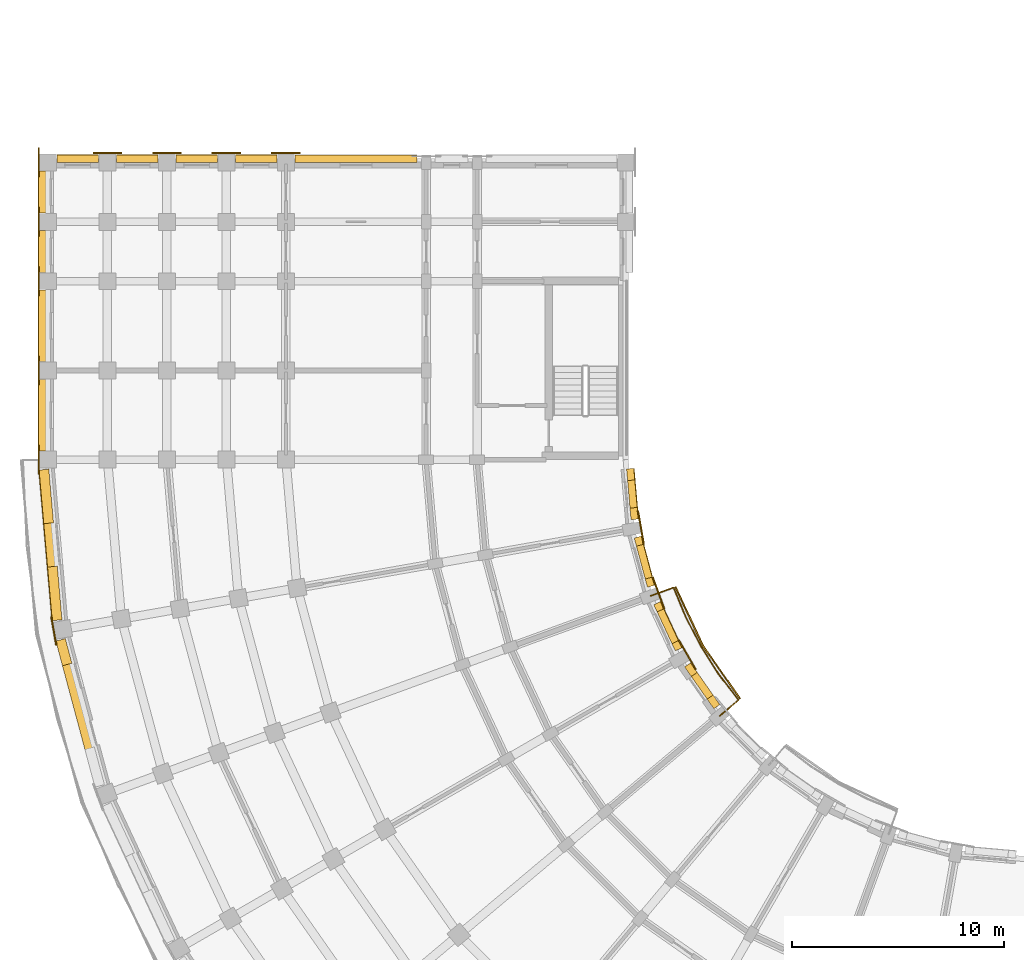
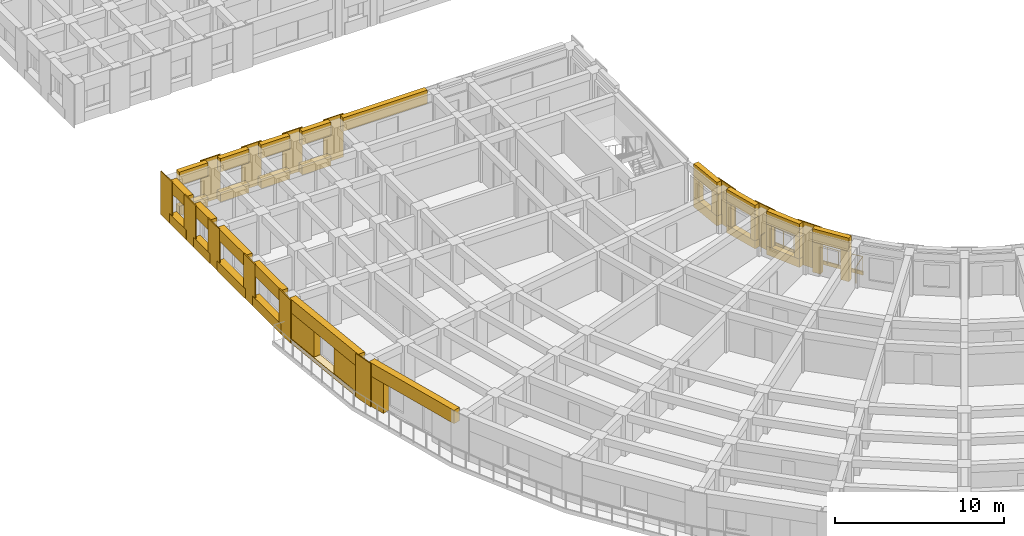
# One storey, part 41 of 54: 52 coverings, 1 railing.
"""IFC4 building model written with IfcOpenShell, lengths in metres."""

from ifc_helpers import new_model, si_unit, direction, frame, origin, origin_2d, place, context, subcontext, project, spatial, polyline, circle, outline, extrude, material, layer, layer_set, type_object, element, save


model = new_model("IFC4")

# Units and contexts
model_context = context("Model", 3, precision=1e-05, world=origin(), true_north=direction((0.0, 1.0)))
body_context = subcontext(model_context, "Body", "Model", "MODEL_VIEW")
ifc_project = project(units=[si_unit("LENGTHUNIT", "METRE"), si_unit("AREAUNIT", "SQUARE_METRE"), si_unit("VOLUMEUNIT", "CUBIC_METRE"), si_unit("PLANEANGLEUNIT", "RADIAN"), si_unit("MASSUNIT", "GRAM", prefix="KILO")], contexts=[model_context])

# Site, building, storey
site_placement = place(None, origin())
site = spatial("IfcSite", under=ifc_project, at=site_placement, CompositionType="ELEMENT")
building_placement = place(site_placement, origin())
building = spatial("IfcBuilding", under=site, at=building_placement, Name="Kiranvali Square Residences", CompositionType="ELEMENT")
storey_placement = place(building_placement, frame((0.0, 0.0, 11.85009765625)))
storey = spatial("IfcBuildingStorey", under=building, at=storey_placement, Name="L03", CompositionType="ELEMENT", Elevation=11.85009765625)

# Coverings
ifc_material_1 = material(Name="Carved Porbandar limestone classical entablature and cornice", Category="masonry")
ifc_layer_1 = layer(ifc_material_1, 0.06201171875)
ifc_layer_set_1 = layer_set([ifc_layer_1], Name="Carved Porbandar limestone classical entablature and cornice")
covering_type_1 = type_object("IfcCoveringType", Name="COV-CLAD-GBAL", PredefinedType="CLADDING", material=ifc_layer_set_1)
covering_1_placement = place(storey_placement, frame((0.0, 0.0, -0.22021484375)))
element("IfcCovering", 1, at=covering_1_placement, inside=storey, type_object=covering_type_1, Name="Block C L03 garden balcony limestone fascia 2", PredefinedType="CLADDING", context=body_context, shape_type="SweptSolid", body=[
    extrude(outline(polyline([(34.8095703125, 36.964111328125), (33.061767578125, 39.4599609375), (31.774169921875, 42.221435546875), (31.710205078125, 42.1982421875), (33.0029296875, 39.426025390625), (34.757568359375, 36.92041015625), (34.8095703125, 36.964111328125)])), origin(), (0.0, 0.0, 1.0), 0.27001953125),
])
ifc_material_2 = material(Name="Honed Porbandar limestone ashlar facade cladding", Category="masonry")
ifc_layer_2 = layer(ifc_material_2, 0.3798828125)
ifc_layer_set_2 = layer_set([ifc_layer_2], Name="Honed Porbandar limestone ashlar facade cladding")
covering_type_2 = type_object("IfcCoveringType", Name="COV-CLAD-JAMB", PredefinedType="CLADDING", material=ifc_layer_set_2)
covering_2_placement = place(storey_placement, origin())
element("IfcCovering", 2, at=covering_2_placement, inside=storey, type_object=covering_type_2, Name="L03 deep limestone window jamb reveal C-L03-CRV-07.R", PredefinedType="CLADDING", context=body_context, shape_type="SweptSolid", body=[
    extrude(outline(polyline([(3.32568359375, 38.617431640625), (3.014892578125, 39.77734375), (2.571044921875, 39.658447265625), (2.8818359375, 38.49853515625), (3.32568359375, 38.617431640625)])), origin(), (0.0, 0.0, 1.0), 2.179931640625),
])
covering_3_placement = place(storey_placement, frame((0.0, 0.0, 0.322021484375)))
element("IfcCovering", 3, at=covering_3_placement, inside=storey, type_object=covering_type_2, Name="L03 deep limestone window jamb reveal C-L03-CRV-08.L", PredefinedType="CLADDING", context=body_context, shape_type="SweptSolid", body=[
    extrude(outline(polyline([(2.859130859375, 40.660400390625), (2.63818359375, 43.18505859375), (2.180419921875, 43.14501953125), (2.4013671875, 40.620361328125), (2.859130859375, 40.660400390625)])), origin(), (0.0, 0.0, 1.0), 1.849853515625),
])
covering_4_placement = place(storey_placement, frame((0.0, 0.0, 0.322021484375)))
element("IfcCovering", 4, at=covering_4_placement, inside=storey, type_object=covering_type_2, Name="L03 deep limestone window jamb reveal C-L03-CRV-08.R", PredefinedType="CLADDING", context=body_context, shape_type="SweptSolid", body=[
    extrude(outline(polyline([(2.45947265625, 45.22705078125), (2.23876953125, 47.751708984375), (1.781005859375, 47.711669921875), (2.001953125, 45.18701171875), (2.45947265625, 45.22705078125)])), origin(), (0.0, 0.0, 1.0), 1.849853515625),
])
covering_5_placement = place(storey_placement, origin())
element("IfcCovering", 5, at=covering_5_placement, inside=storey, type_object=covering_type_2, Name="L03 deep limestone window jamb reveal C-L03-GDN-05.L", PredefinedType="CLADDING", context=body_context, shape_type="SweptSolid", body=[
    extrude(outline(polyline([(33.824462890625, 36.671142578125), (33.509765625, 37.120361328125), (33.231689453125, 36.925537109375), (33.54638671875, 36.476318359375), (33.824462890625, 36.671142578125)])), origin(), (0.0, 0.0, 1.0), 2.179931640625),
])
covering_6_placement = place(storey_placement, origin())
element("IfcCovering", 6, at=covering_6_placement, inside=storey, type_object=covering_type_2, Name="L03 deep limestone window jamb reveal C-L03-GDN-05.R", PredefinedType="CLADDING", context=body_context, shape_type="SweptSolid", body=[
    extrude(outline(polyline([(32.76416015625, 38.185302734375), (32.44970703125, 38.634521484375), (32.171630859375, 38.43994140625), (32.486083984375, 37.990478515625), (32.76416015625, 38.185302734375)])), origin(), (0.0, 0.0, 1.0), 2.179931640625),
])
covering_7_placement = place(storey_placement, frame((0.0, 0.0, 0.621826171875)))
element("IfcCovering", 7, at=covering_7_placement, inside=storey, type_object=covering_type_2, Name="L03 deep limestone window jamb reveal C-L03-GDN-06.L", PredefinedType="CLADDING", context=body_context, shape_type="SweptSolid", body=[
    extrude(outline(polyline([(32.041015625, 39.342529296875), (31.883056640625, 39.680908203125), (31.575439453125, 39.53759765625), (31.733154296875, 39.198974609375), (32.041015625, 39.342529296875)])), origin(), (0.0, 0.0, 1.0), 1.60009765625),
])
covering_8_placement = place(storey_placement, frame((0.0, 0.0, 0.621826171875)))
element("IfcCovering", 8, at=covering_8_placement, inside=storey, type_object=covering_type_2, Name="L03 deep limestone window jamb reveal C-L03-GDN-06.R", PredefinedType="CLADDING", context=body_context, shape_type="SweptSolid", body=[
    extrude(outline(polyline([(31.185791015625, 41.176513671875), (31.02783203125, 41.514892578125), (30.72021484375, 41.37158203125), (30.8779296875, 41.032958984375), (31.185791015625, 41.176513671875)])), origin(), (0.0, 0.0, 1.0), 1.60009765625),
])
covering_9_placement = place(storey_placement, frame((0.0, 0.0, 0.572021484375)))
element("IfcCovering", 9, at=covering_9_placement, inside=storey, type_object=covering_type_2, Name="L03 deep limestone window jamb reveal C-L03-GDN-07.L", PredefinedType="CLADDING", context=body_context, shape_type="SweptSolid", body=[
    extrude(outline(polyline([(30.748291015625, 42.282958984375), (30.645263671875, 42.66796875), (30.317138671875, 42.580078125), (30.42041015625, 42.195068359375), (30.748291015625, 42.282958984375)])), origin(), (0.0, 0.0, 1.0), 1.64990234375),
])
covering_10_placement = place(storey_placement, frame((0.0, 0.0, 0.572021484375)))
element("IfcCovering", 10, at=covering_10_placement, inside=storey, type_object=covering_type_2, Name="L03 deep limestone window jamb reveal C-L03-GDN-07.R", PredefinedType="CLADDING", context=body_context, shape_type="SweptSolid", body=[
    extrude(outline(polyline([(30.23095703125, 44.21337890625), (30.1279296875, 44.598388671875), (29.800048828125, 44.510498046875), (29.903076171875, 44.12548828125), (30.23095703125, 44.21337890625)])), origin(), (0.0, 0.0, 1.0), 1.64990234375),
])
covering_11_placement = place(storey_placement, frame((0.0, 0.0, 0.721923828125)))
element("IfcCovering", 11, at=covering_11_placement, inside=storey, type_object=covering_type_2, Name="L03 deep limestone window jamb reveal C-L03-GDN-08.L", PredefinedType="CLADDING", context=body_context, shape_type="SweptSolid", body=[
    extrude(outline(polyline([(29.986083984375, 45.4033203125), (29.938232421875, 45.94970703125), (29.599853515625, 45.920166015625), (29.647705078125, 45.373779296875), (29.986083984375, 45.4033203125)])), origin(), (0.0, 0.0, 1.0), 1.5),
])
covering_12_placement = place(storey_placement, frame((0.0, 0.0, 0.721923828125)))
element("IfcCovering", 12, at=covering_12_placement, inside=storey, type_object=covering_type_2, Name="L03 deep limestone window jamb reveal C-L03-GDN-08.R", PredefinedType="CLADDING", context=body_context, shape_type="SweptSolid", body=[
    extrude(outline(polyline([(29.824951171875, 47.244873046875), (29.777099609375, 47.791259765625), (29.43896484375, 47.76171875), (29.486572265625, 47.21533203125), (29.824951171875, 47.244873046875)])), origin(), (0.0, 0.0, 1.0), 1.5),
])
ifc_layer_3 = layer(ifc_material_2, 0.06494140625)
ifc_layer_set_3 = layer_set([ifc_layer_3], Name="Honed Porbandar limestone ashlar facade cladding")
covering_type_3 = type_object("IfcCoveringType", Name="COV-CLAD-PIER", PredefinedType="CLADDING", material=ifc_layer_set_3)
covering_13_placement = place(storey_placement, frame((0.0, 0.0, 0.0048828125)))
element("IfcCovering", 13, at=covering_13_placement, inside=storey, type_object=covering_type_3, Name="L03 Classical limestone corner pilaster CLAD-PR-C-L03-A08", PredefinedType="CLADDING", context=body_context, shape_type="SweptSolid", body=[
    extrude(outline(polyline([(2.31982421875, 40.800537109375), (2.555908203125, 39.461181640625), (2.62255859375, 39.472900390625), (2.38623046875, 40.812255859375), (2.31982421875, 40.800537109375)])), origin(), (0.0, 0.0, 1.0), 3.14013671875),
])
covering_14_placement = place(storey_placement, frame((0.0, 0.0, 0.0048828125)))
element("IfcCovering", 14, at=covering_14_placement, inside=storey, type_object=covering_type_3, Name="L03 Classical limestone corner pilaster CLAD-PR-C-L03-A09", PredefinedType="CLADDING", context=body_context, shape_type="SweptSolid", body=[
    extrude(outline(polyline([(1.73193359375, 48.8798828125), (1.73193359375, 47.52001953125), (1.799560546875, 47.52001953125), (1.799560546875, 48.8798828125), (1.73193359375, 48.8798828125)])), origin(), (0.0, 0.0, 1.0), 3.14013671875),
])
covering_15_placement = place(storey_placement, frame((0.0, 0.0, 0.0048828125)))
element("IfcCovering", 15, at=covering_15_placement, inside=storey, type_object=covering_type_3, Name="L03 Classical limestone pilaster casing CLAD-PR-C-L03-V42", PredefinedType="CLADDING", context=body_context, shape_type="SweptSolid", body=[
    extrude(outline(polyline([(1.799560546875, 51.719970703125), (1.799560546875, 53.080078125), (1.73193359375, 53.080078125), (1.73193359375, 51.719970703125), (1.799560546875, 51.719970703125)])), origin(), (0.0, 0.0, 1.0), 3.14013671875),
])
covering_16_placement = place(storey_placement, frame((0.0, 0.0, 0.0048828125)))
element("IfcCovering", 16, at=covering_16_placement, inside=storey, type_object=covering_type_3, Name="L03 Classical limestone pilaster casing CLAD-PR-C-L03-V84", PredefinedType="CLADDING", context=body_context, shape_type="SweptSolid", body=[
    extrude(outline(polyline([(1.799560546875, 55.919921875), (1.799560546875, 57.280029296875), (1.73193359375, 57.280029296875), (1.73193359375, 55.919921875), (1.799560546875, 55.919921875)])), origin(), (0.0, 0.0, 1.0), 3.14013671875),
])
covering_17_placement = place(storey_placement, frame((0.0, 0.0, 0.0048828125)))
element("IfcCovering", 17, at=covering_17_placement, inside=storey, type_object=covering_type_3, Name="L03 Classical limestone pilaster casing CLAD-PR-C-L03-V112", PredefinedType="CLADDING", context=body_context, shape_type="SweptSolid", body=[
    extrude(outline(polyline([(1.799560546875, 58.719970703125), (1.799560546875, 60.080078125), (1.73193359375, 60.080078125), (1.73193359375, 58.719970703125), (1.799560546875, 58.719970703125)])), origin(), (0.0, 0.0, 1.0), 3.14013671875),
])
covering_18_placement = place(storey_placement, frame((0.0, 0.0, 0.0048828125)))
element("IfcCovering", 18, at=covering_18_placement, inside=storey, type_object=covering_type_3, Name="L03 Classical limestone pilaster casing CLAD-PR-C-L03-V140", PredefinedType="CLADDING", context=body_context, shape_type="SweptSolid", body=[
    extrude(outline(polyline([(1.799560546875, 61.52001953125), (1.799560546875, 62.8798828125), (1.73193359375, 62.8798828125), (1.73193359375, 61.52001953125), (1.799560546875, 61.52001953125)])), origin(), (0.0, 0.0, 1.0), 3.14013671875),
])
ifc_layer_4 = layer(ifc_material_2, 0.050048828125)
ifc_layer_set_4 = layer_set([ifc_layer_4], Name="Honed Porbandar limestone ashlar facade cladding")
covering_type_4 = type_object("IfcCoveringType", Name="COV-CLAD-PIER-IN", PredefinedType="CLADDING", material=ifc_layer_set_4)
covering_19_placement = place(storey_placement, frame((0.0, 0.0, 0.0048828125)))
element("IfcCovering", 19, at=covering_19_placement, inside=storey, type_object=covering_type_4, Name="L03 Classical garden courtyard pilaster CLAD-PRIN-C-L03-A06", PredefinedType="CLADDING", context=body_context, shape_type="SweptSolid", body=[
    extrude(outline(polyline([(32.72412109375, 38.341064453125), (31.924072265625, 39.726806640625), (31.865478515625, 39.693115234375), (32.66552734375, 38.307373046875), (32.72412109375, 38.341064453125)])), origin(), (0.0, 0.0, 1.0), 3.14013671875),
])
covering_20_placement = place(storey_placement, frame((0.0, 0.0, 0.0048828125)))
element("IfcCovering", 20, at=covering_20_placement, inside=storey, type_object=covering_type_4, Name="L03 Classical garden courtyard pilaster CLAD-PRIN-C-L03-A07", PredefinedType="CLADDING", context=body_context, shape_type="SweptSolid", body=[
    extrude(outline(polyline([(31.2470703125, 41.17822265625), (30.699951171875, 42.681884765625), (30.636474609375, 42.65869140625), (31.183837890625, 41.1552734375), (31.2470703125, 41.17822265625)])), origin(), (0.0, 0.0, 1.0), 3.14013671875),
])
covering_21_placement = place(storey_placement, frame((0.0, 0.0, 0.0048828125)))
element("IfcCovering", 21, at=covering_21_placement, inside=storey, type_object=covering_type_4, Name="L03 Classical garden courtyard pilaster CLAD-PRIN-C-L03-A08", PredefinedType="CLADDING", context=body_context, shape_type="SweptSolid", body=[
    extrude(outline(polyline([(30.285400390625, 44.228759765625), (30.007568359375, 45.804443359375), (29.941162109375, 45.792724609375), (30.218994140625, 44.217041015625), (30.285400390625, 44.228759765625)])), origin(), (0.0, 0.0, 1.0), 3.14013671875),
])
ifc_layer_5 = layer(ifc_material_2, 0.054931640625)
ifc_layer_set_5 = layer_set([ifc_layer_5], Name="Honed Porbandar limestone ashlar facade cladding")
covering_type_5 = type_object("IfcCoveringType", Name="COV-CLAD-PIER-UP", PredefinedType="CLADDING", material=ifc_layer_set_5)
covering_22_placement = place(storey_placement, frame((0.0, 0.0, 0.0048828125)))
element("IfcCovering", 22, at=covering_22_placement, inside=storey, type_object=covering_type_5, Name="L03 Classical limestone pilaster casing CLAD-PRA2E-C-L03-R348", PredefinedType="CLADDING", context=body_context, shape_type="SweptSolid", body=[
    extrude(outline(polyline([(14.080078125, 62.66796875), (12.719970703125, 62.66796875), (12.719970703125, 62.6005859375), (14.080078125, 62.6005859375), (14.080078125, 62.66796875)])), origin(), (0.0, 0.0, 1.0), 3.14013671875),
])
covering_23_placement = place(storey_placement, frame((0.0, 0.0, 0.0048828125)))
element("IfcCovering", 23, at=covering_23_placement, inside=storey, type_object=covering_type_5, Name="L03 Classical limestone pilaster casing CLAD-PRA2E-C-L03-R376", PredefinedType="CLADDING", context=body_context, shape_type="SweptSolid", body=[
    extrude(outline(polyline([(11.280029296875, 62.66796875), (9.919921875, 62.66796875), (9.919921875, 62.6005859375), (11.280029296875, 62.6005859375), (11.280029296875, 62.66796875)])), origin(), (0.0, 0.0, 1.0), 3.14013671875),
])
covering_24_placement = place(storey_placement, frame((0.0, 0.0, 0.0048828125)))
element("IfcCovering", 24, at=covering_24_placement, inside=storey, type_object=covering_type_5, Name="L03 Classical limestone pilaster casing CLAD-PRA2E-C-L03-R404", PredefinedType="CLADDING", context=body_context, shape_type="SweptSolid", body=[
    extrude(outline(polyline([(8.47998046875, 62.66796875), (7.1201171875, 62.66796875), (7.1201171875, 62.6005859375), (8.47998046875, 62.6005859375), (8.47998046875, 62.66796875)])), origin(), (0.0, 0.0, 1.0), 3.14013671875),
])
covering_25_placement = place(storey_placement, frame((0.0, 0.0, 0.0048828125)))
element("IfcCovering", 25, at=covering_25_placement, inside=storey, type_object=covering_type_5, Name="L03 Classical limestone pilaster casing CLAD-PRA2E-C-L03-R432", PredefinedType="CLADDING", context=body_context, shape_type="SweptSolid", body=[
    extrude(outline(polyline([(5.679931640625, 62.66796875), (4.320068359375, 62.66796875), (4.320068359375, 62.6005859375), (5.679931640625, 62.6005859375), (5.679931640625, 62.66796875)])), origin(), (0.0, 0.0, 1.0), 3.14013671875),
])
ifc_layer_6 = layer(ifc_material_2, 0.360107421875)
ifc_layer_set_6 = layer_set([ifc_layer_6], Name="Honed Porbandar limestone ashlar facade cladding")
covering_type_6 = type_object("IfcCoveringType", Name="COV-CLAD-WALL", PredefinedType="CLADDING", material=ifc_layer_set_6)
covering_26_placement = place(storey_placement, frame((0.0, 0.0, 2.179931640625)))
element("IfcCovering", 26, at=covering_26_placement, inside=storey, type_object=covering_type_6, Name="L03 light limestone spandrel lintel C-L03-CRV-07", PredefinedType="CLADDING", context=body_context, shape_type="SweptSolid", body=[
    extrude(outline(polyline([(4.857177734375, 32.901611328125), (3.014892578125, 39.77734375), (2.571044921875, 39.658447265625), (4.413330078125, 32.78271484375), (4.857177734375, 32.901611328125)])), origin(), (0.0, 0.0, 1.0), 0.965087890625),
])
covering_27_placement = place(storey_placement, frame((0.0, 0.0, 2.171875)))
element("IfcCovering", 27, at=covering_27_placement, inside=storey, type_object=covering_type_6, Name="L03 light limestone spandrel lintel C-L03-CRV-08", PredefinedType="CLADDING", context=body_context, shape_type="SweptSolid", body=[
    extrude(outline(polyline([(2.859130859375, 40.660400390625), (2.23876953125, 47.751708984375), (1.781005859375, 47.711669921875), (2.4013671875, 40.620361328125), (2.859130859375, 40.660400390625)])), origin(), (0.0, 0.0, 1.0), 0.97314453125),
])
covering_28_placement = place(storey_placement, frame((0.0, 0.0, 0.0048828125)))
element("IfcCovering", 28, at=covering_28_placement, inside=storey, type_object=covering_type_6, Name="L03 limestone window sill apron C-L03-CRV-08", PredefinedType="CLADDING", context=body_context, shape_type="SweptSolid", body=[
    extrude(outline(polyline([(2.859130859375, 40.660400390625), (2.23876953125, 47.751708984375), (1.7509765625, 47.708984375), (2.37158203125, 40.61767578125), (2.859130859375, 40.660400390625)])), origin(), (0.0, 0.0, 1.0), 0.317138671875),
])
covering_29_placement = place(storey_placement, frame((0.0, 0.0, 2.179931640625)))
element("IfcCovering", 29, at=covering_29_placement, inside=storey, type_object=covering_type_6, Name="L03 light limestone spandrel lintel C-L03-GDN-05", PredefinedType="CLADDING", context=body_context, shape_type="SweptSolid", body=[
    extrude(outline(polyline([(33.824462890625, 36.671142578125), (32.44970703125, 38.634521484375), (32.171630859375, 38.43994140625), (33.54638671875, 36.476318359375), (33.824462890625, 36.671142578125)])), origin(), (0.0, 0.0, 1.0), 0.965087890625),
])
covering_30_placement = place(storey_placement, frame((0.0, 0.0, 2.221923828125)))
element("IfcCovering", 30, at=covering_30_placement, inside=storey, type_object=covering_type_6, Name="L03 light limestone spandrel lintel C-L03-GDN-06", PredefinedType="CLADDING", context=body_context, shape_type="SweptSolid", body=[
    extrude(outline(polyline([(32.041015625, 39.342529296875), (31.02783203125, 41.514892578125), (30.72021484375, 41.37158203125), (31.733154296875, 39.198974609375), (32.041015625, 39.342529296875)])), origin(), (0.0, 0.0, 1.0), 0.923095703125),
])
covering_31_placement = place(storey_placement, frame((0.0, 0.0, 2.221923828125)))
element("IfcCovering", 31, at=covering_31_placement, inside=storey, type_object=covering_type_6, Name="L03 light limestone spandrel lintel C-L03-GDN-07", PredefinedType="CLADDING", context=body_context, shape_type="SweptSolid", body=[
    extrude(outline(polyline([(30.748291015625, 42.282958984375), (30.1279296875, 44.598388671875), (29.800048828125, 44.510498046875), (30.42041015625, 42.195068359375), (30.748291015625, 42.282958984375)])), origin(), (0.0, 0.0, 1.0), 0.923095703125),
])
covering_32_placement = place(storey_placement, frame((0.0, 0.0, 2.221923828125)))
element("IfcCovering", 32, at=covering_32_placement, inside=storey, type_object=covering_type_6, Name="L03 light limestone spandrel lintel C-L03-GDN-08", PredefinedType="CLADDING", context=body_context, shape_type="SweptSolid", body=[
    extrude(outline(polyline([(29.986083984375, 45.4033203125), (29.777099609375, 47.791259765625), (29.43896484375, 47.76171875), (29.647705078125, 45.373779296875), (29.986083984375, 45.4033203125)])), origin(), (0.0, 0.0, 1.0), 0.923095703125),
])
covering_33_placement = place(storey_placement, frame((0.0, 0.0, 2.27197265625)))
element("IfcCovering", 33, at=covering_33_placement, inside=storey, type_object=covering_type_6, Name="L03 light limestone spandrel lintel C-L03-A2O-0", PredefinedType="CLADDING", context=body_context, shape_type="SweptSolid", body=[
    extrude(outline(polyline([(2.199462890625, 48.6201171875), (2.199462890625, 51.97998046875), (1.75, 51.97998046875), (1.75, 48.6201171875), (2.199462890625, 48.6201171875)])), origin(), (0.0, 0.0, 1.0), 0.873046875),
])
covering_34_placement = place(storey_placement, frame((0.0, 0.0, 0.0048828125)))
element("IfcCovering", 34, at=covering_34_placement, inside=storey, type_object=covering_type_6, Name="L03 limestone window sill apron C-L03-A2O-0", PredefinedType="CLADDING", context=body_context, shape_type="SweptSolid", body=[
    extrude(outline(polyline([(2.199462890625, 48.6201171875), (2.199462890625, 51.97998046875), (1.719970703125, 51.97998046875), (1.719970703125, 48.6201171875), (2.199462890625, 48.6201171875)])), origin(), (0.0, 0.0, 1.0), 0.717041015625),
])
covering_35_placement = place(storey_placement, frame((0.0, 0.0, 2.27197265625)))
element("IfcCovering", 35, at=covering_35_placement, inside=storey, type_object=covering_type_6, Name="L03 light limestone spandrel lintel C-L03-A2O-1", PredefinedType="CLADDING", context=body_context, shape_type="SweptSolid", body=[
    extrude(outline(polyline([(2.199462890625, 52.820068359375), (2.199462890625, 56.179931640625), (1.75, 56.179931640625), (1.75, 52.820068359375), (2.199462890625, 52.820068359375)])), origin(), (0.0, 0.0, 1.0), 0.873046875),
])
covering_36_placement = place(storey_placement, frame((0.0, 0.0, 0.0048828125)))
element("IfcCovering", 36, at=covering_36_placement, inside=storey, type_object=covering_type_6, Name="L03 limestone window sill apron C-L03-A2O-1", PredefinedType="CLADDING", context=body_context, shape_type="SweptSolid", body=[
    extrude(outline(polyline([(2.199462890625, 52.820068359375), (2.199462890625, 56.179931640625), (1.719970703125, 56.179931640625), (1.719970703125, 52.820068359375), (2.199462890625, 52.820068359375)])), origin(), (0.0, 0.0, 1.0), 0.717041015625),
])
covering_37_placement = place(storey_placement, frame((0.0, 0.0, 2.27197265625)))
element("IfcCovering", 37, at=covering_37_placement, inside=storey, type_object=covering_type_6, Name="L03 light limestone spandrel lintel C-L03-A2O-2", PredefinedType="CLADDING", context=body_context, shape_type="SweptSolid", body=[
    extrude(outline(polyline([(2.199462890625, 57.02001953125), (2.199462890625, 58.97998046875), (1.75, 58.97998046875), (1.75, 57.02001953125), (2.199462890625, 57.02001953125)])), origin(), (0.0, 0.0, 1.0), 0.873046875),
])
covering_38_placement = place(storey_placement, frame((0.0, 0.0, 0.0048828125)))
element("IfcCovering", 38, at=covering_38_placement, inside=storey, type_object=covering_type_6, Name="L03 limestone window sill apron C-L03-A2O-2", PredefinedType="CLADDING", context=body_context, shape_type="SweptSolid", body=[
    extrude(outline(polyline([(2.199462890625, 57.02001953125), (2.199462890625, 58.97998046875), (1.719970703125, 58.97998046875), (1.719970703125, 57.02001953125), (2.199462890625, 57.02001953125)])), origin(), (0.0, 0.0, 1.0), 0.717041015625),
])
covering_39_placement = place(storey_placement, frame((0.0, 0.0, 2.27197265625)))
element("IfcCovering", 39, at=covering_39_placement, inside=storey, type_object=covering_type_6, Name="L03 light limestone spandrel lintel C-L03-A2O-3", PredefinedType="CLADDING", context=body_context, shape_type="SweptSolid", body=[
    extrude(outline(polyline([(2.199462890625, 59.820068359375), (2.199462890625, 61.780029296875), (1.75, 61.780029296875), (1.75, 59.820068359375), (2.199462890625, 59.820068359375)])), origin(), (0.0, 0.0, 1.0), 0.873046875),
])
covering_40_placement = place(storey_placement, frame((0.0, 0.0, 0.0048828125)))
element("IfcCovering", 40, at=covering_40_placement, inside=storey, type_object=covering_type_6, Name="L03 limestone window sill apron C-L03-A2O-3", PredefinedType="CLADDING", context=body_context, shape_type="SweptSolid", body=[
    extrude(outline(polyline([(2.199462890625, 59.820068359375), (2.199462890625, 61.780029296875), (1.719970703125, 61.780029296875), (1.719970703125, 59.820068359375), (2.199462890625, 59.820068359375)])), origin(), (0.0, 0.0, 1.0), 0.717041015625),
])
covering_41_placement = place(storey_placement, frame((0.0, 0.0, 2.171875)))
element("IfcCovering", 41, at=covering_41_placement, inside=storey, type_object=covering_type_6, Name="L03 light limestone spandrel lintel C-L03-A2END-2", PredefinedType="CLADDING", context=body_context, shape_type="SweptSolid", body=[
    extrude(outline(polyline([(19.580078125, 62.5400390625), (13.820068359375, 62.5400390625), (13.820068359375, 62.200439453125), (19.580078125, 62.200439453125), (19.580078125, 62.5400390625)])), origin(), (0.0, 0.0, 1.0), 0.97314453125),
])
covering_42_placement = place(storey_placement, frame((0.0, 0.0, 2.171875)))
element("IfcCovering", 42, at=covering_42_placement, inside=storey, type_object=covering_type_6, Name="L03 light limestone spandrel lintel C-L03-A2END-3", PredefinedType="CLADDING", context=body_context, shape_type="SweptSolid", body=[
    extrude(outline(polyline([(12.97998046875, 62.5400390625), (11.02001953125, 62.5400390625), (11.02001953125, 62.200439453125), (12.97998046875, 62.200439453125), (12.97998046875, 62.5400390625)])), origin(), (0.0, 0.0, 1.0), 0.97314453125),
])
covering_43_placement = place(storey_placement, frame((0.0, 0.0, 0.0048828125)))
element("IfcCovering", 43, at=covering_43_placement, inside=storey, type_object=covering_type_6, Name="L03 limestone window sill apron C-L03-A2END-3", PredefinedType="CLADDING", context=body_context, shape_type="SweptSolid", body=[
    extrude(outline(polyline([(12.97998046875, 62.570068359375), (11.02001953125, 62.570068359375), (11.02001953125, 62.200439453125), (12.97998046875, 62.200439453125), (12.97998046875, 62.570068359375)])), origin(), (0.0, 0.0, 1.0), 0.6669921875),
])
covering_44_placement = place(storey_placement, frame((0.0, 0.0, 2.171875)))
element("IfcCovering", 44, at=covering_44_placement, inside=storey, type_object=covering_type_6, Name="L03 light limestone spandrel lintel C-L03-A2END-4", PredefinedType="CLADDING", context=body_context, shape_type="SweptSolid", body=[
    extrude(outline(polyline([(10.179931640625, 62.5400390625), (8.219970703125, 62.5400390625), (8.219970703125, 62.200439453125), (10.179931640625, 62.200439453125), (10.179931640625, 62.5400390625)])), origin(), (0.0, 0.0, 1.0), 0.97314453125),
])
covering_45_placement = place(storey_placement, frame((0.0, 0.0, 0.0048828125)))
element("IfcCovering", 45, at=covering_45_placement, inside=storey, type_object=covering_type_6, Name="L03 limestone window sill apron C-L03-A2END-4", PredefinedType="CLADDING", context=body_context, shape_type="SweptSolid", body=[
    extrude(outline(polyline([(10.179931640625, 62.570068359375), (8.219970703125, 62.570068359375), (8.219970703125, 62.200439453125), (10.179931640625, 62.200439453125), (10.179931640625, 62.570068359375)])), origin(), (0.0, 0.0, 1.0), 0.6669921875),
])
covering_46_placement = place(storey_placement, frame((0.0, 0.0, 2.171875)))
element("IfcCovering", 46, at=covering_46_placement, inside=storey, type_object=covering_type_6, Name="L03 light limestone spandrel lintel C-L03-A2END-5", PredefinedType="CLADDING", context=body_context, shape_type="SweptSolid", body=[
    extrude(outline(polyline([(7.3798828125, 62.5400390625), (5.419921875, 62.5400390625), (5.419921875, 62.200439453125), (7.3798828125, 62.200439453125), (7.3798828125, 62.5400390625)])), origin(), (0.0, 0.0, 1.0), 0.97314453125),
])
covering_47_placement = place(storey_placement, frame((0.0, 0.0, 0.0048828125)))
element("IfcCovering", 47, at=covering_47_placement, inside=storey, type_object=covering_type_6, Name="L03 limestone window sill apron C-L03-A2END-5", PredefinedType="CLADDING", context=body_context, shape_type="SweptSolid", body=[
    extrude(outline(polyline([(7.3798828125, 62.570068359375), (5.419921875, 62.570068359375), (5.419921875, 62.200439453125), (7.3798828125, 62.200439453125), (7.3798828125, 62.570068359375)])), origin(), (0.0, 0.0, 1.0), 0.6669921875),
])
covering_48_placement = place(storey_placement, frame((0.0, 0.0, 2.171875)))
element("IfcCovering", 48, at=covering_48_placement, inside=storey, type_object=covering_type_6, Name="L03 light limestone spandrel lintel C-L03-A2END-6", PredefinedType="CLADDING", context=body_context, shape_type="SweptSolid", body=[
    extrude(outline(polyline([(4.580078125, 62.5400390625), (2.6201171875, 62.5400390625), (2.6201171875, 62.200439453125), (4.580078125, 62.200439453125), (4.580078125, 62.5400390625)])), origin(), (0.0, 0.0, 1.0), 0.97314453125),
])
covering_49_placement = place(storey_placement, frame((0.0, 0.0, 0.0048828125)))
element("IfcCovering", 49, at=covering_49_placement, inside=storey, type_object=covering_type_6, Name="L03 limestone window sill apron C-L03-A2END-6", PredefinedType="CLADDING", context=body_context, shape_type="SweptSolid", body=[
    extrude(outline(polyline([(4.580078125, 62.570068359375), (2.6201171875, 62.570068359375), (2.6201171875, 62.200439453125), (4.580078125, 62.200439453125), (4.580078125, 62.570068359375)])), origin(), (0.0, 0.0, 1.0), 0.6669921875),
])
ifc_layer_7 = layer(ifc_material_2, 0.2900390625)
ifc_layer_set_7 = layer_set([ifc_layer_7], Name="Honed Porbandar limestone ashlar facade cladding")
covering_type_7 = type_object("IfcCoveringType", Name="COV-CLAD-WALL-IN", PredefinedType="CLADDING", material=ifc_layer_set_7)
covering_50_placement = place(storey_placement, frame((0.0, 0.0, 0.0048828125)))
element("IfcCovering", 50, at=covering_50_placement, inside=storey, type_object=covering_type_7, Name="L03 limestone window sill apron C-L03-GDN-06", PredefinedType="CLADDING", context=body_context, shape_type="SweptSolid", body=[
    extrude(outline(polyline([(32.068115234375, 39.355224609375), (31.05517578125, 41.527587890625), (30.72021484375, 41.37158203125), (31.733154296875, 39.198974609375), (32.068115234375, 39.355224609375)])), origin(), (0.0, 0.0, 1.0), 0.616943359375),
])
covering_51_placement = place(storey_placement, frame((0.0, 0.0, 0.0048828125)))
element("IfcCovering", 51, at=covering_51_placement, inside=storey, type_object=covering_type_7, Name="L03 limestone window sill apron C-L03-GDN-07", PredefinedType="CLADDING", context=body_context, shape_type="SweptSolid", body=[
    extrude(outline(polyline([(30.77734375, 42.290771484375), (30.156982421875, 44.606201171875), (29.800048828125, 44.510498046875), (30.42041015625, 42.195068359375), (30.77734375, 42.290771484375)])), origin(), (0.0, 0.0, 1.0), 0.567138671875),
])
covering_52_placement = place(storey_placement, frame((0.0, 0.0, 0.0048828125)))
element("IfcCovering", 52, at=covering_52_placement, inside=storey, type_object=covering_type_7, Name="L03 limestone window sill apron C-L03-GDN-08", PredefinedType="CLADDING", context=body_context, shape_type="SweptSolid", body=[
    extrude(outline(polyline([(30.015869140625, 45.406005859375), (29.806884765625, 47.7939453125), (29.43896484375, 47.76171875), (29.647705078125, 45.373779296875), (30.015869140625, 45.406005859375)])), origin(), (0.0, 0.0, 1.0), 0.717041015625),
])

# Railing
ifc_material_3 = material(Name="Powder-coated architectural bronze balustrade", Category="steel")
railing_type = type_object("IfcRailingType", Name="RL-BAL-GOLD-1200", PredefinedType="BALUSTRADE", material=ifc_material_3)
railing_placement = place(storey_placement, frame((33.8291015625, 36.141357421875, 0.0)))
element("IfcRailing", 53, at=railing_placement, inside=storey, type_object=railing_type, Name="Block C L03 garden balcony gold balustrade 2", PredefinedType="BALUSTRADE", context=body_context, shape_type="SweptSolid", body=[
    extrude(circle(Radius=0.02392578125, at=origin_2d()), frame((0.0, 0.0, 1.17578125), z_axis=(0.765989188314, 0.642853454051, 0.0), x_axis=(-0.642853454051, 0.765989188314, 0.0)), (0.0, 0.0, 1.0), 1.14990234375),
    extrude(circle(Radius=0.02392578125, at=origin_2d()), frame((0.880859375, 0.7392578125, 1.17578125), z_axis=(-0.608811807471, 0.793314680996, 0.0), x_axis=(-0.793314680996, -0.608811807471, 0.0)), (0.0, 0.0, 1.0), 1.536376953125),
    extrude(circle(Radius=0.02392578125, at=origin_2d()), frame((-0.054443359375, 1.9580078125, 1.17578125), z_axis=(-0.537307309343, 0.843386539688, 0.0), x_axis=(-0.843386539688, -0.537307309343, 0.0)), (0.0, 0.0, 1.0), 1.5361328125),
    extrude(circle(Radius=0.02392578125, at=origin_2d()), frame((-0.8798828125, 3.253662109375, 1.17578125), z_axis=(-0.461713009976, 0.887029366154, 0.0), x_axis=(-0.887029366154, -0.461713009976, 0.0)), (0.0, 0.0, 1.0), 1.5361328125),
    extrude(circle(Radius=0.02392578125, at=origin_2d()), frame((-1.589111328125, 4.6162109375, 1.17578125), z_axis=(-0.382651197843, 0.923892883829, 0.0), x_axis=(-0.923892883829, -0.382651197843, 0.0)), (0.0, 0.0, 1.0), 1.536376953125),
    extrude(circle(Radius=0.02392578125, at=origin_2d()), frame((-2.177001953125, 6.03564453125, 1.17578125), z_axis=(-0.939712828289, -0.341964618562, 0.0), x_axis=(0.341964618562, -0.939712828289, 0.0)), (0.0, 0.0, 1.0), 1.150146484375),
    extrude(circle(Radius=0.02099609375, at=origin_2d()), origin(), (0.0, 0.0, 1.0), 1.15185546875),
    extrude(circle(Radius=0.02099609375, at=origin_2d()), frame((0.880859375, 0.7392578125, 0.0)), (0.0, 0.0, 1.0), 1.15185546875),
    extrude(circle(Radius=0.02099609375, at=origin_2d()), frame((0.4130859375, 1.3486328125, 0.0)), (0.0, 0.0, 1.0), 1.15185546875),
    extrude(circle(Radius=0.02099609375, at=origin_2d()), frame((-0.054443359375, 1.9580078125, 0.0)), (0.0, 0.0, 1.0), 1.15185546875),
    extrude(circle(Radius=0.02099609375, at=origin_2d()), frame((-0.46728515625, 2.60595703125, 0.0)), (0.0, 0.0, 1.0), 1.15185546875),
    extrude(circle(Radius=0.02099609375, at=origin_2d()), frame((-0.8798828125, 3.253662109375, 0.0)), (0.0, 0.0, 1.0), 1.15185546875),
    extrude(circle(Radius=0.02099609375, at=origin_2d()), frame((-1.234375, 3.93505859375, 0.0)), (0.0, 0.0, 1.0), 1.15185546875),
    extrude(circle(Radius=0.02099609375, at=origin_2d()), frame((-1.589111328125, 4.6162109375, 0.0)), (0.0, 0.0, 1.0), 1.15185546875),
    extrude(circle(Radius=0.02099609375, at=origin_2d()), frame((-1.883056640625, 5.325927734375, 0.0)), (0.0, 0.0, 1.0), 1.15185546875),
    extrude(circle(Radius=0.02099609375, at=origin_2d()), frame((-2.177001953125, 6.03564453125, 0.0)), (0.0, 0.0, 1.0), 1.15185546875),
    extrude(circle(Radius=0.02099609375, at=origin_2d()), frame((-3.2578125, 5.642333984375, 0.0)), (0.0, 0.0, 1.0), 1.15185546875),
])

save(model, "model.ifc")
